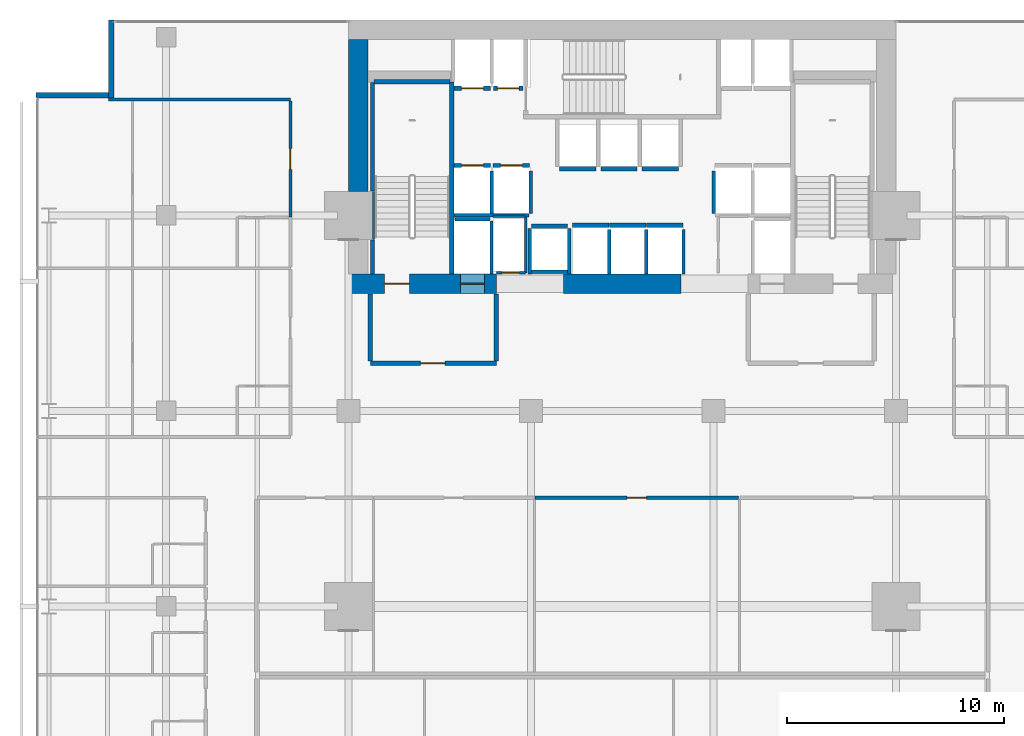
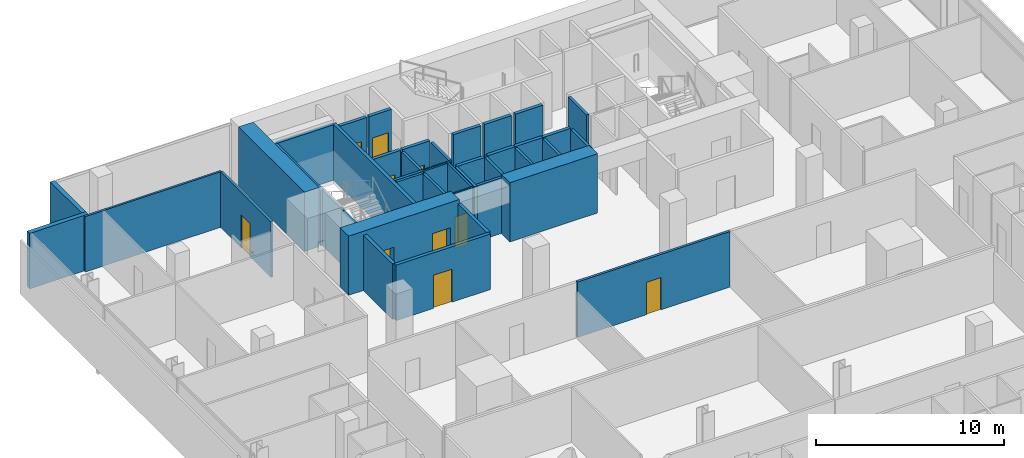
# One storey, part 36 of 40: 42 walls, 10 doors, 10 openings.
"""IFC4 building model written with IfcOpenShell, lengths in metres."""

from ifc_helpers import new_model, si_unit, direction, frame, frame_2d, origin, place, context, subcontext, project, spatial, rectangle, extrude, material, layer, layer_set, type_object, element, fill, save


model = new_model("IFC4")

# Units and contexts
model_context = context("Model", 3, precision=1e-05, world=origin(), true_north=direction((0.0, 1.0)))
body_context = subcontext(model_context, "Body", "Model", "MODEL_VIEW")
ifc_project = project(units=[si_unit("LENGTHUNIT", "METRE"), si_unit("AREAUNIT", "SQUARE_METRE"), si_unit("VOLUMEUNIT", "CUBIC_METRE"), si_unit("PLANEANGLEUNIT", "RADIAN"), si_unit("MASSUNIT", "GRAM", prefix="KILO")], contexts=[model_context])

# Site, building, storey
site_placement = place(None, origin())
site = spatial("IfcSite", under=ifc_project, at=site_placement, CompositionType="ELEMENT")
building_placement = place(site_placement, origin())
building = spatial("IfcBuilding", under=site, at=building_placement, Name="Maruvema Waterfront Hotel and Observation Tower", CompositionType="ELEMENT")
storey_placement = place(building_placement, frame((0.0, 0.0, 57.75)))
storey = spatial("IfcBuildingStorey", under=building, at=storey_placement, Name="L13", CompositionType="ELEMENT", Elevation=57.75)

# Wall, opening, door
ifc_material_1 = material(Name="Twin-stud acoustic gypsum drywall", Category="gypsum")
ifc_layer_1 = layer(ifc_material_1, 0.14990234375, Name="Acoustic Corridor and Suite Demising Wall 150 mm")
ifc_layer_set_1 = layer_set([ifc_layer_1], Name="Twin-stud acoustic gypsum drywall")
wall_type_1 = type_object("IfcWallType", Name="Acoustic Corridor and Suite Demising Wall 150 mm", PredefinedType="PARTITIONING", material=ifc_layer_set_1)
wall_1_placement = place(storey_placement, frame((33.785888671875, 32.0, 0.0), z_axis=(0.0, 0.0, 1.0), x_axis=(1.0, 0.0, 0.0)))
wall_1 = element("IfcWall", 1, at=wall_1_placement, inside=storey, type_object=wall_type_1, Name="L13 L13-INTN Front 3 019", PredefinedType="PARTITIONING", context=body_context, shape_type="SweptSolid", body=[
    extrude(rectangle(XDim=9.376220703125, YDim=0.14990234375, at=frame_2d((4.68798828125, 0.0))), origin(), (0.0, 0.0, 1.0), 3.610107421875),
])
opening_1_placement = place(wall_1_placement, frame((4.238037109375, 0.0, 0.0)))
opening_1 = element("IfcOpeningElement", 2, at=opening_1_placement, cuts=wall_1, Name="Opening DR-090", PredefinedType="OPENING", context=body_context, shape_type="SweptSolid", body=[
    extrude(rectangle(XDim=0.89990234375, YDim=2.10009765625, at=frame_2d((0.449951171875, 1.050048828125))), frame((0.0, 0.0849609375, 0.0), z_axis=(0.0, -1.0, 0.0), x_axis=(1.0, 0.0, 0.0)), (0.0, 0.0, 1.0), 0.169921875),
])
ifc_material_2 = material(Name="Solid-core lacquered timber leaf", Category="wood")
door_type_1 = type_object("IfcDoorType", Name="Accessible Toilet and Room Door 900x2100 mm", OperationType="NOTDEFINED", PredefinedType="DOOR", material=ifc_material_2)
door_1_placement = place(opening_1_placement, origin())
door_1 = element("IfcDoor", 3, at=door_1_placement, inside=storey, type_object=door_type_1, Name="L13 Conference Salon 3 Door", OperationType="SINGLE_SWING_LEFT", OverallHeight=2.10009765625, OverallWidth=0.89990234375, PredefinedType="DOOR", context=body_context, shape_type="SweptSolid", body=[
    extrude(rectangle(XDim=0.89990234375, YDim=2.10009765625, at=frame_2d((0.449951171875, 1.050048828125))), frame((0.0, 0.02490234375, 0.0), z_axis=(0.0, -1.0, 0.0), x_axis=(1.0, 0.0, 0.0)), (0.0, 0.0, 1.0), 0.050048828125),
])
fill(opening_1, door_1)

wall_2_placement = place(storey_placement, frame((22.52001953125, 44.918701171875, 0.0), z_axis=(0.0, 0.0, 1.0), x_axis=(0.0, 1.0, 0.0)))
wall_2 = element("IfcWall", 4, at=wall_2_placement, inside=storey, type_object=wall_type_1, Name="L13 Room L13-NW2 Corridor Wall 131", PredefinedType="PARTITIONING", context=body_context, shape_type="SweptSolid", body=[
    extrude(rectangle(XDim=5.35888671875, YDim=0.14990234375, at=frame_2d((2.679443359375, 0.0))), origin(), (0.0, 0.0, 1.0), 3.610107421875),
])
opening_2_placement = place(wall_2_placement, frame((2.204345703125, 0.0, 0.0)))
opening_2 = element("IfcOpeningElement", 5, at=opening_2_placement, cuts=wall_2, Name="Opening DR-095", PredefinedType="OPENING", context=body_context, shape_type="SweptSolid", body=[
    extrude(rectangle(XDim=0.949951171875, YDim=2.14990234375, at=frame_2d((0.47509765625, 1.074951171875))), frame((0.0, 0.0849609375, 0.0), z_axis=(0.0, -1.0, 0.0), x_axis=(1.0, 0.0, 0.0)), (0.0, 0.0, 1.0), 0.169921875),
])
ifc_material_3 = material(Name="Acoustic solid-core hardwood timber leaf", Category="wood")
door_type_2 = type_object("IfcDoorType", Name="Guestroom Entrance Fire Door 950x2150 mm", OperationType="NOTDEFINED", PredefinedType="DOOR", material=ifc_material_3)
door_2_placement = place(opening_2_placement, origin())
door_2 = element("IfcDoor", 6, at=door_2_placement, inside=storey, type_object=door_type_2, Name="L13 Room L13-NW2 Entrance Door", OperationType="SINGLE_SWING_LEFT", OverallHeight=2.14990234375, OverallWidth=0.949951171875, PredefinedType="DOOR", context=body_context, shape_type="SweptSolid", body=[
    extrude(rectangle(XDim=0.949951171875, YDim=2.14990234375, at=frame_2d((0.47509765625, 1.074951171875))), frame((0.0, 0.02490234375, 0.0), z_axis=(0.0, -1.0, 0.0), x_axis=(1.0, 0.0, 0.0)), (0.0, 0.0, 1.0), 0.050048828125),
])
fill(opening_2, door_2)

# Walls
ifc_material_4 = material(Name="Precast concrete C45/55", Category="concrete")
ifc_layer_2 = layer(ifc_material_4, 0.199951171875, Name="Core Shaft and Stairwell Enclosure Wall 200 mm")
ifc_layer_set_2 = layer_set([ifc_layer_2], Name="Precast concrete C45/55")
wall_type_2 = type_object("IfcWallType", Name="Core Shaft and Stairwell Enclosure Wall 200 mm", PredefinedType="SOLIDWALL", material=ifc_layer_set_2)
wall_3_placement = place(storey_placement, frame((29.949951171875, 42.300048828125, 0.0), z_axis=(0.0, 0.0, 1.0), x_axis=(0.0, 1.0, 0.0)))
element("IfcWall", 7, at=wall_3_placement, inside=storey, type_object=wall_type_2, Name="L13 Stairwell ST-01 East Shaft Wall", PredefinedType="SOLIDWALL", context=body_context, shape_type="SweptSolid", body=[
    extrude(rectangle(XDim=8.849853515625, YDim=0.199951171875, at=frame_2d((4.4248046875, 0.0))), origin(), (0.0, 0.0, 1.0), 3.610107421875),
])
wall_4_placement = place(storey_placement, frame((26.300048828125, 42.300048828125, 0.0), z_axis=(0.0, 0.0, 1.0), x_axis=(0.0, 1.0, 0.0)))
element("IfcWall", 8, at=wall_4_placement, inside=storey, type_object=wall_type_2, Name="L13 Stairwell ST-01 Shaft Lining Wall", PredefinedType="SOLIDWALL", context=body_context, shape_type="SweptSolid", body=[
    extrude(rectangle(XDim=1.579833984375, YDim=0.199951171875, at=frame_2d((0.7900390625, 0.0))), origin(), (0.0, 0.0, 1.0), 3.610107421875),
])
wall_5_placement = place(storey_placement, frame((26.300048828125, 46.1201171875, 0.0), z_axis=(0.0, 0.0, 1.0), x_axis=(0.0, 1.0, 0.0)))
element("IfcWall", 9, at=wall_5_placement, inside=storey, type_object=wall_type_2, Name="L13 Stairwell ST-01 Shaft Lining Wall", PredefinedType="SOLIDWALL", context=body_context, shape_type="SweptSolid", body=[
    extrude(rectangle(XDim=5.0, YDim=0.199951171875, at=frame_2d((2.5, 0.0))), origin(), (0.0, 0.0, 1.0), 3.610107421875),
])
wall_6_placement = place(storey_placement, frame((26.3798828125, 51.14990234375, 0.0), z_axis=(0.0, 0.0, 1.0), x_axis=(1.0, 0.0, 0.0)))
element("IfcWall", 10, at=wall_6_placement, inside=storey, type_object=wall_type_2, Name="L13 Stairwell ST-01 Shaft Lining Wall", PredefinedType="SOLIDWALL", context=body_context, shape_type="SweptSolid", body=[
    extrude(rectangle(XDim=3.5, YDim=0.199951171875, at=frame_2d((1.75, 0.0))), origin(), (0.0, 0.0, 1.0), 3.610107421875),
])

# Wall, opening, door
wall_7_placement = place(storey_placement, frame((30.06005859375, 47.300048828125, 0.0), z_axis=(0.0, 0.0, 1.0), x_axis=(1.0, 0.0, 0.0)))
wall_7 = element("IfcWall", 11, at=wall_7_placement, inside=storey, type_object=wall_type_2, Name="L13 Lift LF-01 Hoistway Front Wall", PredefinedType="SOLIDWALL", context=body_context, shape_type="SweptSolid", body=[
    extrude(rectangle(XDim=1.679931640625, YDim=0.199951171875, at=frame_2d((0.83984375, 0.0))), origin(), (0.0, 0.0, 1.0), 3.610107421875),
])
opening_3_placement = place(wall_7_placement, frame((0.340087890625, 0.0, 0.0)))
opening_3 = element("IfcOpeningElement", 12, at=opening_3_placement, cuts=wall_7, Name="Opening LD-01", PredefinedType="OPENING", context=body_context, shape_type="SweptSolid", body=[
    extrude(rectangle(XDim=1.0, YDim=2.14990234375, at=frame_2d((0.5, 1.074951171875))), frame((0.0, 0.10986328125, 0.0), z_axis=(0.0, -1.0, 0.0), x_axis=(1.0, 0.0, 0.0)), (0.0, 0.0, 1.0), 0.219970703125),
])
ifc_material_5 = material(Name="Brushed stainless steel Grade 316", Category="steel")
door_type_3 = type_object("IfcDoorType", Name="Passenger Lift Sliding Landing Door 1000x2150 mm", OperationType="SLIDING_TO_LEFT", PredefinedType="DOOR", material=ifc_material_5)
door_3_placement = place(opening_3_placement, origin())
door_3 = element("IfcDoor", 13, at=door_3_placement, inside=storey, type_object=door_type_3, Name="L13 Lift LF-01 Sliding Landing Door", OperationType="SLIDING_TO_LEFT", OverallHeight=2.14990234375, OverallWidth=1.0, PredefinedType="DOOR", context=body_context, shape_type="SweptSolid", body=[
    extrude(rectangle(XDim=1.0, YDim=2.14990234375, at=frame_2d((0.5, 1.074951171875))), frame((0.0, 0.02490234375, 0.0), z_axis=(0.0, -1.0, 0.0), x_axis=(1.0, 0.0, 0.0)), (0.0, 0.0, 1.0), 0.050048828125),
])
fill(opening_3, door_3)

wall_8_placement = place(storey_placement, frame((31.860107421875, 47.300048828125, 0.0), z_axis=(0.0, 0.0, 1.0), x_axis=(1.0, 0.0, 0.0)))
wall_8 = element("IfcWall", 14, at=wall_8_placement, inside=storey, type_object=wall_type_2, Name="L13 Lift LF-02 Hoistway Front Wall", PredefinedType="SOLIDWALL", context=body_context, shape_type="SweptSolid", body=[
    extrude(rectangle(XDim=1.679931640625, YDim=0.199951171875, at=frame_2d((0.83984375, 0.0))), origin(), (0.0, 0.0, 1.0), 3.610107421875),
])
opening_4_placement = place(wall_8_placement, frame((0.340087890625, 0.0, 0.0)))
opening_4 = element("IfcOpeningElement", 15, at=opening_4_placement, cuts=wall_8, Name="Opening LD-01", PredefinedType="OPENING", context=body_context, shape_type="SweptSolid", body=[
    extrude(rectangle(XDim=1.0, YDim=2.14990234375, at=frame_2d((0.5, 1.074951171875))), frame((0.0, 0.10986328125, 0.0), z_axis=(0.0, -1.0, 0.0), x_axis=(1.0, 0.0, 0.0)), (0.0, 0.0, 1.0), 0.219970703125),
])
door_4_placement = place(opening_4_placement, origin())
door_4 = element("IfcDoor", 16, at=door_4_placement, inside=storey, type_object=door_type_3, Name="L13 Lift LF-02 Sliding Landing Door", OperationType="SLIDING_TO_LEFT", OverallHeight=2.14990234375, OverallWidth=1.0, PredefinedType="DOOR", context=body_context, shape_type="SweptSolid", body=[
    extrude(rectangle(XDim=1.0, YDim=2.14990234375, at=frame_2d((0.5, 1.074951171875))), frame((0.0, 0.02490234375, 0.0), z_axis=(0.0, -1.0, 0.0), x_axis=(1.0, 0.0, 0.0)), (0.0, 0.0, 1.0), 0.050048828125),
])
fill(opening_4, door_4)

wall_9_placement = place(storey_placement, frame((30.06005859375, 50.85009765625, 0.0), z_axis=(0.0, 0.0, 1.0), x_axis=(1.0, 0.0, 0.0)))
wall_9 = element("IfcWall", 17, at=wall_9_placement, inside=storey, type_object=wall_type_2, Name="L13 Lift LF-03 Hoistway Front Wall", PredefinedType="SOLIDWALL", context=body_context, shape_type="SweptSolid", body=[
    extrude(rectangle(XDim=1.679931640625, YDim=0.199951171875, at=frame_2d((0.83984375, 0.0))), origin(), (0.0, 0.0, 1.0), 3.610107421875),
])
opening_5_placement = place(wall_9_placement, frame((0.340087890625, 0.0, 0.0)))
opening_5 = element("IfcOpeningElement", 18, at=opening_5_placement, cuts=wall_9, Name="Opening LD-01", PredefinedType="OPENING", context=body_context, shape_type="SweptSolid", body=[
    extrude(rectangle(XDim=1.0, YDim=2.14990234375, at=frame_2d((0.5, 1.074951171875))), frame((0.0, 0.10986328125, 0.0), z_axis=(0.0, -1.0, 0.0), x_axis=(1.0, 0.0, 0.0)), (0.0, 0.0, 1.0), 0.219970703125),
])
door_5_placement = place(opening_5_placement, frame((1.0, 0.0, 0.0), z_axis=(0.0, 0.0, 1.0), x_axis=(-1.0, 0.0, 0.0)))
door_5 = element("IfcDoor", 19, at=door_5_placement, inside=storey, type_object=door_type_3, Name="L13 Lift LF-03 Sliding Landing Door", OperationType="SLIDING_TO_LEFT", OverallHeight=2.14990234375, OverallWidth=1.0, PredefinedType="DOOR", context=body_context, shape_type="SweptSolid", body=[
    extrude(rectangle(XDim=1.0, YDim=2.14990234375, at=frame_2d((0.5, 1.074951171875))), frame((0.0, 0.02490234375, 0.0), z_axis=(0.0, -1.0, 0.0), x_axis=(1.0, 0.0, 0.0)), (0.0, 0.0, 1.0), 0.050048828125),
])
fill(opening_5, door_5)

wall_10_placement = place(storey_placement, frame((31.860107421875, 50.85009765625, 0.0), z_axis=(0.0, 0.0, 1.0), x_axis=(1.0, 0.0, 0.0)))
wall_10 = element("IfcWall", 20, at=wall_10_placement, inside=storey, type_object=wall_type_2, Name="L13 Lift LF-04 Hoistway Front Wall", PredefinedType="SOLIDWALL", context=body_context, shape_type="SweptSolid", body=[
    extrude(rectangle(XDim=1.3798828125, YDim=0.199951171875, at=frame_2d((0.68994140625, 0.0))), origin(), (0.0, 0.0, 1.0), 3.610107421875),
])
opening_6_placement = place(wall_10_placement, frame((0.18994140625, 0.0, 0.0)))
opening_6 = element("IfcOpeningElement", 21, at=opening_6_placement, cuts=wall_10, Name="Opening LD-01", PredefinedType="OPENING", context=body_context, shape_type="SweptSolid", body=[
    extrude(rectangle(XDim=1.0, YDim=2.14990234375, at=frame_2d((0.5, 1.074951171875))), frame((0.0, 0.10986328125, 0.0), z_axis=(0.0, -1.0, 0.0), x_axis=(1.0, 0.0, 0.0)), (0.0, 0.0, 1.0), 0.219970703125),
])
door_6_placement = place(opening_6_placement, frame((1.0, 0.0, 0.0), z_axis=(0.0, 0.0, 1.0), x_axis=(-1.0, 0.0, 0.0)))
door_6 = element("IfcDoor", 22, at=door_6_placement, inside=storey, type_object=door_type_3, Name="L13 Lift LF-04 Sliding Landing Door", OperationType="SLIDING_TO_LEFT", OverallHeight=2.14990234375, OverallWidth=1.0, PredefinedType="DOOR", context=body_context, shape_type="SweptSolid", body=[
    extrude(rectangle(XDim=1.0, YDim=2.14990234375, at=frame_2d((0.5, 1.074951171875))), frame((0.0, 0.02490234375, 0.0), z_axis=(0.0, -1.0, 0.0), x_axis=(1.0, 0.0, 0.0)), (0.0, 0.0, 1.0), 0.050048828125),
])
fill(opening_6, door_6)

# Walls
for number, where, z_axis, x_axis, name in (
    (23, (35.510009765625, 44.550048828125, 0.0), (0.0, 0.0, 1.0), (1.0, 0.0, 0.0), "L13 Lift LF-09 Hoistway Front Wall"),
    (24, (37.2099609375, 44.550048828125, 0.0), (0.0, 0.0, 1.0), (1.0, 0.0, 0.0), "L13 Lift LF-10 Hoistway Front Wall"),
):
    element("IfcWall", number, at=place(storey_placement, frame(where, z_axis=z_axis, x_axis=x_axis)), inside=storey, type_object=wall_type_2, Name=name, PredefinedType="SOLIDWALL", context=body_context, shape_type="SweptSolid", body=[
        extrude(rectangle(XDim=1.679931640625, YDim=0.199951171875, at=frame_2d((0.83984375, 0.0))), origin(), (0.0, 0.0, 1.0), 3.610107421875),
    ])
for number, where, z_axis, x_axis, name in (
    (25, (38.909912109375, 44.550048828125, 0.0), (0.0, 0.0, 1.0), (1.0, 0.0, 0.0), "L13 Lift LF-11 Hoistway Front Wall"),
    (26, (34.909912109375, 47.14990234375, 0.0), (0.0, 0.0, 1.0), (1.0, 0.0, 0.0), "L13 Lift LF-12 Hoistway Front Wall"),
):
    element("IfcWall", number, at=place(storey_placement, frame(where, z_axis=z_axis, x_axis=x_axis)), inside=storey, type_object=wall_type_2, Name=name, PredefinedType="SOLIDWALL", context=body_context, shape_type="SweptSolid", body=[
        extrude(rectangle(XDim=1.68017578125, YDim=0.199951171875, at=frame_2d((0.840087890625, 0.0))), origin(), (0.0, 0.0, 1.0), 3.610107421875),
    ])
for number, where, z_axis, x_axis, name in (
    (27, (36.81005859375, 47.14990234375, 0.0), (0.0, 0.0, 1.0), (1.0, 0.0, 0.0), "L13 Lift LF-13 Hoistway Front Wall"),
    (28, (38.7099609375, 47.14990234375, 0.0), (0.0, 0.0, 1.0), (1.0, 0.0, 0.0), "L13 Lift LF-14 Hoistway Front Wall"),
    (29, (33.610107421875, 44.5, 0.0), (0.0, 0.0, 1.0), (1.0, 0.0, 0.0), "L13 Lift LF-15 Hoistway Front Wall"),
):
    element("IfcWall", number, at=place(storey_placement, frame(where, z_axis=z_axis, x_axis=x_axis)), inside=storey, type_object=wall_type_2, Name=name, PredefinedType="SOLIDWALL", context=body_context, shape_type="SweptSolid", body=[
        extrude(rectangle(XDim=1.679931640625, YDim=0.199951171875, at=frame_2d((0.83984375, 0.0))), origin(), (0.0, 0.0, 1.0), 3.610107421875),
    ])

# Wall, openings, doors
ifc_material_6 = material(Name="Concrete C80/95", Category="concrete")
ifc_layer_3 = layer(ifc_material_6, 0.89990234375, Name="Core Shear Wall 900 mm")
ifc_layer_set_3 = layer_set([ifc_layer_3], Name="Concrete C80/95")
wall_type_3 = type_object("IfcWallType", Name="Core Shear Wall 900 mm", PredefinedType="SHEAR", material=ifc_layer_set_3)
wall_11_placement = place(storey_placement, frame((25.199951171875, 41.85009765625, 0.0), z_axis=(0.0, 0.0, 1.0), x_axis=(1.0, 0.0, 0.0)))
wall_11 = element("IfcWall", 30, at=wall_11_placement, inside=storey, type_object=wall_type_3, Name="L13 South-West Core Shear Wall", PredefinedType="SHEAR", context=body_context, shape_type="SweptSolid", body=[
    extrude(rectangle(XDim=6.800048828125, YDim=0.89990234375, at=frame_2d((3.39990234375, 0.0))), origin(), (0.0, 0.0, 1.0), 3.85009765625),
])
opening_7_placement = place(wall_11_placement, frame((1.64990234375, 0.0, 0.0)))
opening_7 = element("IfcOpeningElement", 31, at=opening_7_placement, cuts=wall_11, Name="Opening SD-01", PredefinedType="OPENING", context=body_context, shape_type="SweptSolid", body=[
    extrude(rectangle(XDim=1.14990234375, YDim=2.14990234375, at=frame_2d((0.574951171875, 1.074951171875))), frame((0.0, 0.4599609375, 0.0), z_axis=(0.0, -1.0, 0.0), x_axis=(1.0, 0.0, 0.0)), (0.0, 0.0, 1.0), 0.919921875),
])
opening_8_placement = place(wall_11_placement, frame((5.14990234375, 0.0, 0.0)))
opening_8 = element("IfcOpeningElement", 32, at=opening_8_placement, cuts=wall_11, Name="Opening LD-03", PredefinedType="OPENING", context=body_context, shape_type="SweptSolid", body=[
    extrude(rectangle(XDim=1.10009765625, YDim=2.199951171875, at=frame_2d((0.550048828125, 1.10009765625))), frame((0.0, 0.4599609375, 0.0), z_axis=(0.0, -1.0, 0.0), x_axis=(1.0, 0.0, 0.0)), (0.0, 0.0, 1.0), 0.919921875),
])
ifc_material_7 = material(Name="Fire-rated galvanised steel leaf", Category="steel")
door_type_4 = type_object("IfcDoorType", Name="Exit Stair Fire Door 1150x2150 mm", OperationType="NOTDEFINED", PredefinedType="DOOR", material=ifc_material_7)
door_7_placement = place(opening_7_placement, origin())
door_7 = element("IfcDoor", 33, at=door_7_placement, inside=storey, type_object=door_type_4, Name="L13 Exit Stair ST-01 Fire Door", OperationType="SINGLE_SWING_LEFT", OverallHeight=2.14990234375, OverallWidth=1.14990234375, PredefinedType="DOOR", context=body_context, shape_type="SweptSolid", body=[
    extrude(rectangle(XDim=1.14990234375, YDim=2.14990234375, at=frame_2d((0.574951171875, 1.074951171875))), frame((0.0, 0.02490234375, 0.0), z_axis=(0.0, -1.0, 0.0), x_axis=(1.0, 0.0, 0.0)), (0.0, 0.0, 1.0), 0.050048828125),
])
fill(opening_7, door_7)
ifc_material_8 = material(Name="Brushed stainless steel Grade 316", Category="steel")
door_type_5 = type_object("IfcDoorType", Name="Firefighting Lift Sliding Landing Door 1100x2200 mm", OperationType="SLIDING_TO_LEFT", PredefinedType="DOOR", material=ifc_material_8)
door_8_placement = place(opening_8_placement, frame((1.10009765625, 0.0, 0.0), z_axis=(0.0, 0.0, 1.0), x_axis=(-1.0, 0.0, 0.0)))
door_8 = element("IfcDoor", 34, at=door_8_placement, inside=storey, type_object=door_type_5, Name="L13 Firefighting Lift FL-01 Landing Door", OperationType="SLIDING_TO_LEFT", OverallHeight=2.199951171875, OverallWidth=1.10009765625, PredefinedType="DOOR", context=body_context, shape_type="SweptSolid", body=[
    extrude(rectangle(XDim=1.10009765625, YDim=2.199951171875, at=frame_2d((0.550048828125, 1.10009765625))), frame((0.0, 0.02490234375, 0.0), z_axis=(0.0, -1.0, 0.0), x_axis=(1.0, 0.0, 0.0)), (0.0, 0.0, 1.0), 0.050048828125),
])
fill(opening_8, door_8)

# Walls
wall_12_placement = place(storey_placement, frame((35.10009765625, 41.85009765625, 0.0), z_axis=(0.0, 0.0, 1.0), x_axis=(1.0, 0.0, 0.0)))
element("IfcWall", 35, at=wall_12_placement, inside=storey, type_object=wall_type_3, Name="L13 South-Central Core Shear Wall", PredefinedType="SHEAR", context=body_context, shape_type="SweptSolid", body=[
    extrude(rectangle(XDim=5.39990234375, YDim=0.89990234375, at=frame_2d((2.699951171875, 0.0))), origin(), (0.0, 0.0, 1.0), 3.85009765625),
])
wall_13_placement = place(storey_placement, frame((25.64990234375, 46.10009765625, 0.0), z_axis=(0.0, 0.0, 1.0), x_axis=(0.0, 1.0, 0.0)))
element("IfcWall", 36, at=wall_13_placement, inside=storey, type_object=wall_type_3, Name="L13 West-North Core Shear Wall", PredefinedType="SHEAR", context=body_context, shape_type="SweptSolid", body=[
    extrude(rectangle(XDim=7.0, YDim=0.89990234375, at=frame_2d((3.5, 0.0))), origin(), (0.0, 0.0, 1.0), 3.85009765625),
])

# Wall, opening, door
ifc_material_9 = material(Name="Moisture-resistant cement-board drywall", Category="gypsum")
ifc_layer_4 = layer(ifc_material_9, 0.10009765625, Name="En-Suite Moisture-Resistant Partition 100 mm")
ifc_layer_set_4 = layer_set([ifc_layer_4], Name="Moisture-resistant cement-board drywall")
wall_type_4 = type_object("IfcWallType", Name="En-Suite Moisture-Resistant Partition 100 mm", PredefinedType="PARTITIONING", material=ifc_layer_set_4)
wall_14_placement = place(storey_placement, frame((32.02001953125, 42.360107421875, 0.0), z_axis=(0.0, 0.0, 1.0), x_axis=(1.0, 0.0, 0.0)))
wall_14 = element("IfcWall", 37, at=wall_14_placement, inside=storey, type_object=wall_type_4, Name="L13 Telecom Riser South Wall 007", PredefinedType="PARTITIONING", context=body_context, shape_type="SweptSolid", body=[
    extrude(rectangle(XDim=1.320068359375, YDim=0.10009765625, at=frame_2d((0.66015625, 0.0))), origin(), (0.0, 0.0, 1.0), 3.610107421875),
])
opening_9_placement = place(wall_14_placement, frame((0.239990234375, 0.0, 0.0)))
opening_9 = element("IfcOpeningElement", 38, at=opening_9_placement, cuts=wall_14, Name="Opening DR-080", PredefinedType="OPENING", context=body_context, shape_type="SweptSolid", body=[
    extrude(rectangle(XDim=0.800048828125, YDim=2.050048828125, at=frame_2d((0.39990234375, 1.02490234375))), frame((0.0, 0.06005859375, 0.0), z_axis=(0.0, -1.0, 0.0), x_axis=(1.0, 0.0, 0.0)), (0.0, 0.0, 1.0), 0.1201171875),
])
ifc_material_10 = material(Name="Powder-coated steel access leaf", Category="steel")
door_type_6 = type_object("IfcDoorType", Name="Riser and Service Cupboard Door 800x2050 mm", OperationType="NOTDEFINED", PredefinedType="DOOR", material=ifc_material_10)
door_9_placement = place(opening_9_placement, frame((0.800048828125, 0.0, 0.0), z_axis=(0.0, 0.0, 1.0), x_axis=(-1.0, 0.0, 0.0)))
door_9 = element("IfcDoor", 39, at=door_9_placement, inside=storey, type_object=door_type_6, Name="L13 Telecom Riser Door", OperationType="SINGLE_SWING_LEFT", OverallHeight=2.050048828125, OverallWidth=0.800048828125, PredefinedType="DOOR", context=body_context, shape_type="SweptSolid", body=[
    extrude(rectangle(XDim=0.800048828125, YDim=2.050048828125, at=frame_2d((0.39990234375, 1.02490234375))), frame((0.0, 0.02490234375, 0.0), z_axis=(0.0, -1.0, 0.0), x_axis=(1.0, 0.0, 0.0)), (0.0, 0.0, 1.0), 0.050048828125),
])
fill(opening_9, door_9)

# Walls
wall_15_placement = place(storey_placement, frame((31.840087890625, 44.9599609375, 0.0), z_axis=(0.0, 0.0, 1.0), x_axis=(1.0, 0.0, 0.0)))
element("IfcWall", 40, at=wall_15_placement, inside=storey, type_object=wall_type_4, Name="L13 Telecom Riser North Wall 008", PredefinedType="PARTITIONING", context=body_context, shape_type="SweptSolid", body=[
    extrude(rectangle(XDim=1.47998046875, YDim=0.10009765625, at=frame_2d((0.739990234375, 0.0))), origin(), (0.0, 0.0, 1.0), 3.610107421875),
])
wall_16_placement = place(storey_placement, frame((33.360107421875, 42.360107421875, 0.0), z_axis=(0.0, 0.0, 1.0), x_axis=(0.0, 1.0, 0.0)))
element("IfcWall", 41, at=wall_16_placement, inside=storey, type_object=wall_type_4, Name="L13 Telecom Riser East Wall 009", PredefinedType="PARTITIONING", context=body_context, shape_type="SweptSolid", body=[
    extrude(rectangle(XDim=2.579833984375, YDim=0.10009765625, at=frame_2d((1.2900390625, 0.0))), origin(), (0.0, 0.0, 1.0), 3.610107421875),
])
ifc_material_11 = material(Name="Precast concrete C45/55 with honed Pernambuco granite facing", Category="masonry")
ifc_layer_5 = layer(ifc_material_11, 0.260009765625, Name="Exterior Granite Clad Spandrel and Pier Wall 260 mm")
ifc_layer_set_5 = layer_set([ifc_layer_5], Name="Precast concrete C45/55 with honed Pernambuco granite facing")
wall_type_5 = type_object("IfcWallType", Name="Exterior Granite Clad Spandrel and Pier Wall 260 mm", PredefinedType="SOLIDWALL", material=ifc_layer_set_5)
wall_17_placement = place(storey_placement, frame((14.27001953125, 50.39990234375, 0.0), z_axis=(0.0, 0.0, 1.0), x_axis=(0.0, 1.0, 0.0)))
element("IfcWall", 42, at=wall_17_placement, inside=storey, type_object=wall_type_5, Name="L13 Corner Notch Granite Pier Wall NW1", PredefinedType="SOLIDWALL", context=body_context, shape_type="SweptSolid", body=[
    extrude(rectangle(XDim=3.60009765625, YDim=0.260009765625, at=frame_2d((1.800048828125, 0.0))), origin(), (0.0, 0.0, 1.0), 3.610107421875),
])
wall_18_placement = place(storey_placement, frame((10.800048828125, 50.530029296875, 0.0), z_axis=(0.0, 0.0, 1.0), x_axis=(1.0, 0.0, 0.0)))
element("IfcWall", 43, at=wall_18_placement, inside=storey, type_object=wall_type_5, Name="L13 Corner Notch Granite Pier Wall NW2", PredefinedType="SOLIDWALL", context=body_context, shape_type="SweptSolid", body=[
    extrude(rectangle(XDim=3.599853515625, YDim=0.260009765625, at=frame_2d((1.7998046875, 0.0))), origin(), (0.0, 0.0, 1.0), 3.610107421875),
])

# Wall, opening, door
ifc_material_12 = material(Name="Autoclaved cellular concrete blockwork", Category="masonry")
ifc_layer_6 = layer(ifc_material_12, 0.199951171875, Name="Fire Compartment Masonry Wall 200 mm")
ifc_layer_set_6 = layer_set([ifc_layer_6], Name="Autoclaved cellular concrete blockwork")
wall_type_6 = type_object("IfcWallType", Name="Fire Compartment Masonry Wall 200 mm", PredefinedType="PARTITIONING", material=ifc_layer_set_6)
wall_19_placement = place(storey_placement, frame((26.199951171875, 38.199951171875, 0.0), z_axis=(0.0, 0.0, 1.0), x_axis=(1.0, 0.0, 0.0)))
wall_19 = element("IfcWall", 44, at=wall_19_placement, inside=storey, type_object=wall_type_6, Name="L13 FFL West South Wall 001", PredefinedType="PARTITIONING", context=body_context, shape_type="SweptSolid", body=[
    extrude(rectangle(XDim=5.800048828125, YDim=0.199951171875, at=frame_2d((2.89990234375, 0.0))), origin(), (0.0, 0.0, 1.0), 3.610107421875),
])
opening_10_placement = place(wall_19_placement, frame((2.300048828125, 0.0, 0.0)))
opening_10 = element("IfcOpeningElement", 45, at=opening_10_placement, cuts=wall_19, Name="Opening FD-115", PredefinedType="OPENING", context=body_context, shape_type="SweptSolid", body=[
    extrude(rectangle(XDim=1.14990234375, YDim=2.14990234375, at=frame_2d((0.574951171875, 1.074951171875))), frame((0.0, 0.10986328125, 0.0), z_axis=(0.0, -1.0, 0.0), x_axis=(1.0, 0.0, 0.0)), (0.0, 0.0, 1.0), 0.219970703125),
])
ifc_material_13 = material(Name="Fire-rated galvanised steel and vision glass", Category="steel")
door_type_7 = type_object("IfcDoorType", Name="Firefighting Lobby Fire Door 1150x2150 mm", OperationType="NOTDEFINED", PredefinedType="DOOR", material=ifc_material_13)
door_10_placement = place(opening_10_placement, frame((1.14990234375, 0.0, 0.0), z_axis=(0.0, 0.0, 1.0), x_axis=(-1.0, 0.0, 0.0)))
door_10 = element("IfcDoor", 46, at=door_10_placement, inside=storey, type_object=door_type_7, Name="L13 Firefighting Lobby West Door", OperationType="SINGLE_SWING_LEFT", OverallHeight=2.14990234375, OverallWidth=1.14990234375, PredefinedType="DOOR", context=body_context, shape_type="SweptSolid", body=[
    extrude(rectangle(XDim=1.14990234375, YDim=2.14990234375, at=frame_2d((0.574951171875, 1.074951171875))), frame((0.0, 0.02490234375, 0.0), z_axis=(0.0, -1.0, 0.0), x_axis=(1.0, 0.0, 0.0)), (0.0, 0.0, 1.0), 0.050048828125),
])
fill(opening_10, door_10)

# Walls
for number, where, z_axis, x_axis, name in (
    (47, (26.199951171875, 38.31005859375, 0.0), (0.0, 0.0, 1.0), (0.0, 1.0, 0.0), "L13 FFL West West Wall 002"),
    (48, (32.0, 38.31005859375, 0.0), (0.0, 0.0, 1.0), (0.0, 1.0, 0.0), "L13 FFL West East Wall 003"),
):
    element("IfcWall", number, at=place(storey_placement, frame(where, z_axis=z_axis, x_axis=x_axis)), inside=storey, type_object=wall_type_6, Name=name, PredefinedType="PARTITIONING", context=body_context, shape_type="SweptSolid", body=[
        extrude(rectangle(XDim=3.06982421875, YDim=0.199951171875, at=frame_2d((1.534912109375, 0.0))), origin(), (0.0, 0.0, 1.0), 3.610107421875),
    ])
ifc_material_14 = material(Name="Acoustic gypsum plasterboard drywall", Category="gypsum")
ifc_layer_7 = layer(ifc_material_14, 0.125, Name="Guestroom Acoustic Demising Wall 125 mm")
ifc_layer_set_7 = layer_set([ifc_layer_7], Name="Acoustic gypsum plasterboard drywall")
wall_type_7 = type_object("IfcWallType", Name="Guestroom Acoustic Demising Wall 125 mm", PredefinedType="PARTITIONING", material=ifc_layer_set_7)
wall_20_placement = place(storey_placement, frame((14.139892578125, 50.33740234375, 0.0), z_axis=(0.0, 0.0, 1.0), x_axis=(1.0, 0.0, 0.0)))
element("IfcWall", 49, at=wall_20_placement, inside=storey, type_object=wall_type_7, Name="L13 NW Top End 116", PredefinedType="PARTITIONING", context=body_context, shape_type="SweptSolid", body=[
    extrude(rectangle(XDim=8.380126953125, YDim=0.125, at=frame_2d((4.18994140625, 0.0))), origin(), (0.0, 0.0, 1.0), 3.610107421875),
])
ifc_material_15 = material(Name="Precast concrete C45/55", Category="concrete")
ifc_layer_8 = layer(ifc_material_15, 0.159912109375, Name="Lift Hoistway Divider Wall 160 mm")
ifc_layer_set_8 = layer_set([ifc_layer_8], Name="Precast concrete C45/55")
wall_type_8 = type_object("IfcWallType", Name="Lift Hoistway Divider Wall 160 mm", PredefinedType="SOLIDWALL", material=ifc_layer_set_8)
wall_21_placement = place(storey_placement, frame((30.10009765625, 44.830078125, 0.0), z_axis=(0.0, 0.0, 1.0), x_axis=(1.0, 0.0, 0.0)))
element("IfcWall", 50, at=wall_21_placement, inside=storey, type_object=wall_type_8, Name="L13 Lift FL-01 Rear Hoistway Wall", PredefinedType="SOLIDWALL", context=body_context, shape_type="SweptSolid", body=[
    extrude(rectangle(XDim=1.599853515625, YDim=0.159912109375, at=frame_2d((0.7998046875, 0.0))), origin(), (0.0, 0.0, 1.0), 3.610107421875),
])
wall_22_placement = place(storey_placement, frame((31.780029296875, 42.300048828125, 0.0), z_axis=(0.0, 0.0, 1.0), x_axis=(0.0, 1.0, 0.0)))
element("IfcWall", 51, at=wall_22_placement, inside=storey, type_object=wall_type_8, Name="L13 Lift FL-01 Inner Hoistway Wall", PredefinedType="SOLIDWALL", context=body_context, shape_type="SweptSolid", body=[
    extrude(rectangle(XDim=2.43994140625, YDim=0.159912109375, at=frame_2d((1.219970703125, 0.0))), origin(), (0.0, 0.0, 1.0), 3.610107421875),
])
for number, where, z_axis, x_axis, name in (
    (52, (31.800048828125, 45.10009765625, 0.0), (0.0, 0.0, 1.0), (0.0, 1.0, 0.0), "L13 Hoistway Divider Wall"),
    (53, (33.580078125, 45.10009765625, 0.0), (0.0, 0.0, 1.0), (0.0, 1.0, 0.0), "L13 Hoistway Divider Wall"),
):
    element("IfcWall", number, at=place(storey_placement, frame(where, z_axis=z_axis, x_axis=x_axis)), inside=storey, type_object=wall_type_8, Name=name, PredefinedType="SOLIDWALL", context=body_context, shape_type="SweptSolid", body=[
        extrude(rectangle(XDim=1.949951171875, YDim=0.159912109375, at=frame_2d((0.97509765625, 0.0))), origin(), (0.0, 0.0, 1.0), 3.610107421875),
    ])
wall_23_placement = place(storey_placement, frame((30.050048828125, 45.010009765625, 0.0), z_axis=(0.0, 0.0, 1.0), x_axis=(1.0, 0.0, 0.0)))
element("IfcWall", 54, at=wall_23_placement, inside=storey, type_object=wall_type_8, Name="L13 Hoistway Divider Wall", PredefinedType="SOLIDWALL", context=body_context, shape_type="SweptSolid", body=[
    extrude(rectangle(XDim=3.449951171875, YDim=0.159912109375, at=frame_2d((1.72509765625, 0.0))), origin(), (0.0, 0.0, 1.0), 3.610107421875),
])
wall_24_placement = place(storey_placement, frame((42.02001953125, 45.10009765625, 0.0), z_axis=(0.0, 0.0, 1.0), x_axis=(0.0, 1.0, 0.0)))
element("IfcWall", 55, at=wall_24_placement, inside=storey, type_object=wall_type_8, Name="L13 Hoistway Divider Wall", PredefinedType="SOLIDWALL", context=body_context, shape_type="SweptSolid", body=[
    extrude(rectangle(XDim=1.949951171875, YDim=0.159912109375, at=frame_2d((0.97509765625, 0.0))), origin(), (0.0, 0.0, 1.0), 3.610107421875),
])
for number, where, z_axis, x_axis, name in (
    (56, (37.199951171875, 42.300048828125, 0.0), (0.0, 0.0, 1.0), (0.0, 1.0, 0.0), "L13 Hoistway Divider Wall"),
    (57, (38.89990234375, 42.300048828125, 0.0), (0.0, 0.0, 1.0), (0.0, 1.0, 0.0), "L13 Hoistway Divider Wall"),
    (58, (40.6201171875, 42.300048828125, 0.0), (0.0, 0.0, 1.0), (0.0, 1.0, 0.0), "L13 Hoistway Divider Wall"),
):
    element("IfcWall", number, at=place(storey_placement, frame(where, z_axis=z_axis, x_axis=x_axis)), inside=storey, type_object=wall_type_8, Name=name, PredefinedType="SOLIDWALL", context=body_context, shape_type="SweptSolid", body=[
        extrude(rectangle(XDim=2.050048828125, YDim=0.159912109375, at=frame_2d((1.02490234375, 0.0))), origin(), (0.0, 0.0, 1.0), 3.610107421875),
    ])
for number, where, z_axis, x_axis, name in (
    (59, (33.5400390625, 42.300048828125, 0.0), (0.0, 0.0, 1.0), (0.0, 1.0, 0.0), "L13 Hoistway Divider Wall"),
    (60, (35.360107421875, 42.300048828125, 0.0), (0.0, 0.0, 1.0), (0.0, 1.0, 0.0), "L13 Hoistway Divider Wall"),
):
    element("IfcWall", number, at=place(storey_placement, frame(where, z_axis=z_axis, x_axis=x_axis)), inside=storey, type_object=wall_type_8, Name=name, PredefinedType="SOLIDWALL", context=body_context, shape_type="SweptSolid", body=[
        extrude(rectangle(XDim=2.099853515625, YDim=0.159912109375, at=frame_2d((1.0498046875, 0.0))), origin(), (0.0, 0.0, 1.0), 3.610107421875),
    ])
wall_25_placement = place(storey_placement, frame((33.6201171875, 42.39990234375, 0.0), z_axis=(0.0, 0.0, 1.0), x_axis=(1.0, 0.0, 0.0)))
element("IfcWall", 61, at=wall_25_placement, inside=storey, type_object=wall_type_8, Name="L13 Hoistway Divider Wall", PredefinedType="SOLIDWALL", context=body_context, shape_type="SweptSolid", body=[
    extrude(rectangle(XDim=1.659912109375, YDim=0.159912109375, at=frame_2d((0.830078125, 0.0))), origin(), (0.0, 0.0, 1.0), 3.610107421875),
])
ifc_material_16 = material(Name="Precast concrete C45/55", Category="concrete")
ifc_layer_9 = layer(ifc_material_16, 0.10009765625, Name="Stairwell Stringer Cheek Wall 100 mm")
ifc_layer_set_9 = layer_set([ifc_layer_9], Name="Precast concrete C45/55")
wall_type_9 = type_object("IfcWallType", Name="Stairwell Stringer Cheek Wall 100 mm", PredefinedType="SOLIDWALL", material=ifc_layer_set_9)
wall_26_placement = place(storey_placement, frame((26.35205078125, 43.89990234375, 0.0), z_axis=(0.0, 0.0, 1.0), x_axis=(0.0, 1.0, 0.0)))
element("IfcWall", 62, at=wall_26_placement, inside=storey, type_object=wall_type_9, Name="L13 Stairwell ST-01 Mega-Column Cheek Wall", PredefinedType="SOLIDWALL", context=body_context, shape_type="SweptSolid", body=[
    extrude(rectangle(XDim=2.2001953125, YDim=0.10009765625, at=frame_2d((1.10009765625, 0.0))), origin(), (0.0, 0.0, 1.0), 3.610107421875),
])

save(model, "model.ifc")
